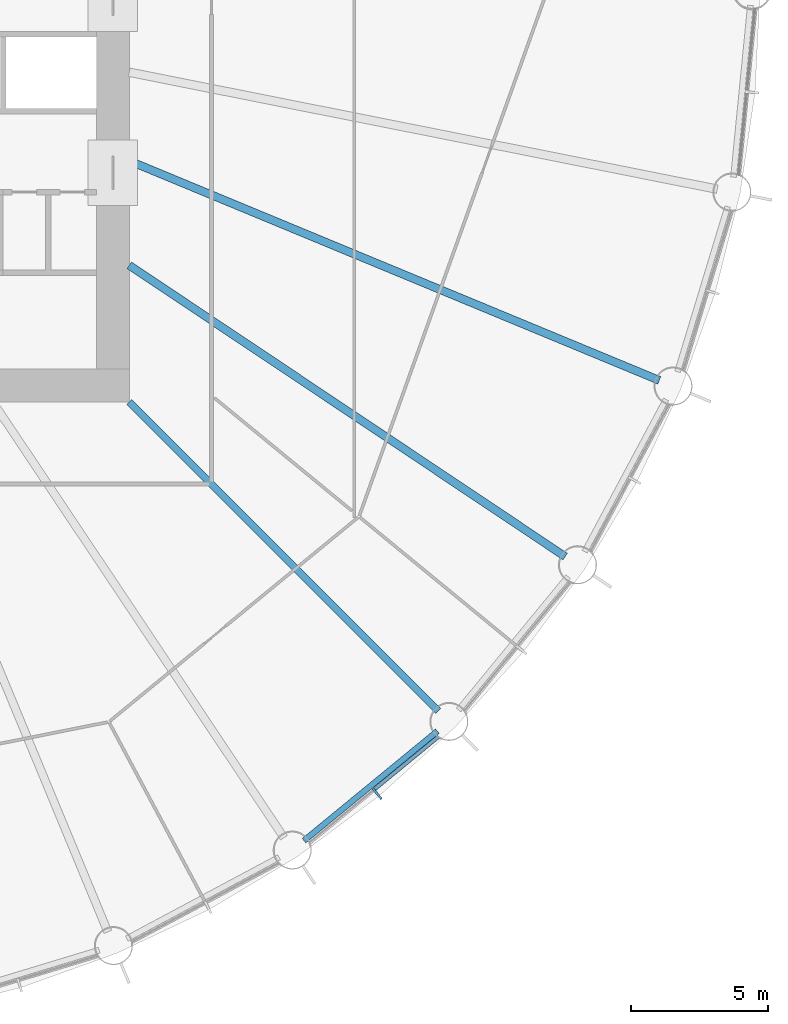
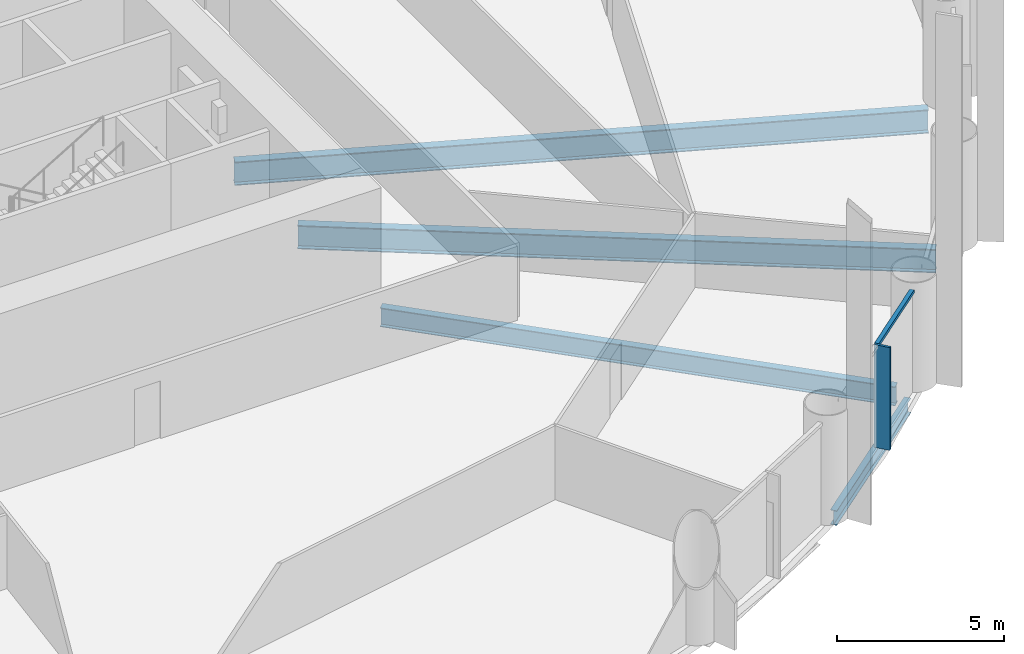
# One storey, part 3 of 14: 4 beams, 2 members, 1 element without a shape of its own.
"""IFC4 building model written with IfcOpenShell, lengths in metres."""

from ifc_helpers import new_model, si_unit, direction, frame, origin, origin_2d, place, context, subcontext, project, spatial, rectangle, i_section, extrude, material, material_profile, profile_set, type_object, element, aggregate, save


model = new_model("IFC4")

# Units and contexts
model_context = context("Model", 3, precision=1e-05, world=origin(), true_north=direction((0.0, 1.0)))
body_context = subcontext(model_context, "Body", "Model", "MODEL_VIEW")
ifc_project = project(units=[si_unit("LENGTHUNIT", "METRE"), si_unit("AREAUNIT", "SQUARE_METRE"), si_unit("VOLUMEUNIT", "CUBIC_METRE"), si_unit("PLANEANGLEUNIT", "RADIAN"), si_unit("MASSUNIT", "GRAM", prefix="KILO")], contexts=[model_context])

# Site, building, storey
site_placement = place(None, origin())
site = spatial("IfcSite", under=ifc_project, at=site_placement, CompositionType="ELEMENT")
building_placement = place(site_placement, origin())
building = spatial("IfcBuilding", under=site, at=building_placement, Name="Corvane Civic Tower", CompositionType="ELEMENT")
storey_placement = place(building_placement, frame((0.0, 0.0, 77.0)))
storey = spatial("IfcBuildingStorey", under=building, at=storey_placement, Name="L17", CompositionType="ELEMENT", Elevation=77.0)

# Beams
ifc_material_1 = material(Name="Steel ASTM A992 Gr 50", Category="steel")
ifc_material_profile_1 = material_profile(ifc_material_1, i_section(OverallWidth=0.209228515625, OverallDepth=0.533447265625, WebThickness=0.01025390625, FlangeThickness=0.015625, at=origin_2d()), Name="W21X62")
ifc_profile_set_1 = profile_set([ifc_material_profile_1], Name="Steel ASTM A992 Gr 50")
beam_type_1 = type_object("IfcBeamType", Name="EDGE BEAM W21X62", PredefinedType="BEAM", material=ifc_profile_set_1)
beam_1_placement = place(storey_placement, frame((26.23291015625, -27.0068359375, -0.566650390625), z_axis=(-0.773015785286, -0.634386787141, 0.0), x_axis=(0.634386787141, -0.773015785286, 0.0)))
element("IfcBeam", 1, at=beam_1_placement, inside=storey, type_object=beam_type_1, Name="BM-L17-E13", PredefinedType="BEAM", context=body_context, shape_type="SweptSolid", body=[
    extrude(i_section(OverallWidth=0.209228515625, OverallDepth=0.533447265625, WebThickness=0.01025390625, FlangeThickness=0.015625, at=origin_2d()), origin(), (0.0, 0.0, 1.0), 6.290771484375),
])
ifc_material_2 = material(Name="Steel ASTM A992 Gr 50", Category="steel")
ifc_material_profile_2 = material_profile(ifc_material_2, i_section(OverallWidth=0.256591796875, OverallDepth=0.693359375, WebThickness=0.014404296875, FlangeThickness=0.023681640625, at=origin_2d()), Name="W27X114")
ifc_profile_set_2 = profile_set([ifc_material_profile_2], Name="Steel ASTM A992 Gr 50")
beam_type_2 = type_object("IfcBeamType", Name="FLOOR GIRDER W27X114", PredefinedType="BEAM", material=ifc_profile_set_2)
beam_2_placement = place(storey_placement, frame((15.0, -15.0, -0.646728515625), z_axis=(0.707106781187, -0.707106781187, 0.0), x_axis=(0.707106781187, 0.707106781187, 0.0)))
element("IfcBeam", 2, at=beam_2_placement, inside=storey, type_object=beam_type_2, Name="BM-L17-G13", PredefinedType="BEAM", context=body_context, shape_type="SweptSolid", body=[
    extrude(i_section(OverallWidth=0.256591796875, OverallDepth=0.693359375, WebThickness=0.014404296875, FlangeThickness=0.023681640625, at=origin_2d()), origin(), (0.0, 0.0, 1.0), 15.936767578125),
])
ifc_material_3 = material(Name="Steel ASTM A992 Gr 50", Category="steel")
ifc_material_profile_3 = material_profile(ifc_material_3, i_section(OverallWidth=0.2919921875, OverallDepth=0.8583984375, WebThickness=0.01708984375, FlangeThickness=0.031005859375, at=origin_2d()), Name="W33X169")
ifc_profile_set_3 = profile_set([ifc_material_profile_3], Name="Steel ASTM A992 Gr 50")
beam_type_3 = type_object("IfcBeamType", Name="FLOOR GIRDER W33X169", PredefinedType="BEAM", material=ifc_profile_set_3)
beam_3_placement = place(storey_placement, frame((15.0, -6.213134765625, -0.729248046875), z_axis=(0.923875834355, -0.382692360381, 0.0), x_axis=(0.382692360381, 0.923875834355, 0.0)))
element("IfcBeam", 3, at=beam_3_placement, inside=storey, type_object=beam_type_3, Name="BM-L17-G11", PredefinedType="BEAM", context=body_context, shape_type="SweptSolid", body=[
    extrude(i_section(OverallWidth=0.2919921875, OverallDepth=0.8583984375, WebThickness=0.01708984375, FlangeThickness=0.031005859375, at=origin_2d()), origin(), (0.0, 0.0, 1.0), 20.9140625),
])
beam_4_placement = place(storey_placement, frame((15.0, -10.022705078125, -0.729248046875), z_axis=(0.831471985418, -0.555566681385, 0.0), x_axis=(0.555566681385, 0.831471985418, 0.0)))
element("IfcBeam", 4, at=beam_4_placement, inside=storey, type_object=beam_type_3, Name="BM-L17-G12", PredefinedType="BEAM", context=body_context, shape_type="SweptSolid", body=[
    extrude(i_section(OverallWidth=0.2919921875, OverallDepth=0.8583984375, WebThickness=0.01708984375, FlangeThickness=0.031005859375, at=origin_2d()), origin(), (0.0, 0.0, 1.0), 19.109619140625),
])

# Curtain wall, members
ifc_material_4 = material(Name="Anodised aluminium bronze", Category="aluminium")
curtain_wall_type = type_object("IfcCurtainWallType", Name="TOWER CW-T1 STICK CURTAIN WALL", PredefinedType="NOTDEFINED", material=ifc_material_4)
curtain_wall_placement = place(storey_placement, origin())
curtain_wall = element("IfcCurtainWall", 5, at=curtain_wall_placement, inside=storey, type_object=curtain_wall_type, Name="Curtain wall CW-T1 L17 bay 13", PredefinedType="NOTDEFINED")
ifc_material_5 = material(Name="Anodised aluminium bronze", Category="aluminium")
ifc_material_profile_4 = material_profile(ifc_material_5, rectangle(XDim=0.139892578125, YDim=0.1201171875, at=origin_2d()), Name="TOWER CW-T1 TRANSOM 140x120")
ifc_profile_set_4 = profile_set([ifc_material_profile_4], Name="Anodised aluminium bronze")
member_type_1 = type_object("IfcMemberType", Name="TOWER CW-T1 TRANSOM 140x120", PredefinedType="USERDEFINED", material=ifc_profile_set_4)
member_1_placement = place(storey_placement, frame((26.271728515625, -27.20654296875, 3.68994140625), z_axis=(-0.773001943873, -0.634403652865, 0.0), x_axis=(0.634403652865, -0.773001943873, 0.0)))
member_1 = element("IfcMember", 6, at=member_1_placement, type_object=member_type_1, Name="Transom CW-T1 L17 13.1", ObjectType="TRANSOM", PredefinedType="USERDEFINED", context=body_context, shape_type="SweptSolid", body=[
    extrude(rectangle(XDim=0.139892578125, YDim=0.1201171875, at=origin_2d()), origin(), (0.0, 0.0, 1.0), 3.008544921875),
])
ifc_material_6 = material(Name="Anodised aluminium bronze", Category="aluminium")
ifc_material_profile_5 = material_profile(ifc_material_6, rectangle(XDim=0.080078125, YDim=0.5, at=origin_2d()), Name="TOWER FIN MULLION 80x500 BRONZE")
ifc_profile_set_5 = profile_set([ifc_material_profile_5], Name="Anodised aluminium bronze")
member_type_2 = type_object("IfcMemberType", Name="TOWER FIN MULLION 80x500 BRONZE", PredefinedType="MULLION", material=ifc_profile_set_5)
member_2_placement = place(storey_placement, frame((24.0419921875, -29.295166015625, 0.0), z_axis=(0.0, 0.0, 1.0), x_axis=(-0.773007224463, -0.634397218569, 0.0)))
member_2 = element("IfcMember", 7, at=member_2_placement, type_object=member_type_2, Name="Fin mullion 13 L17", PredefinedType="MULLION", context=body_context, shape_type="SweptSolid", body=[
    extrude(rectangle(XDim=0.080078125, YDim=0.5, at=origin_2d()), origin(), (0.0, 0.0, 1.0), 3.75),
])
aggregate(curtain_wall, [member_2, member_1])

save(model, "model.ifc")
